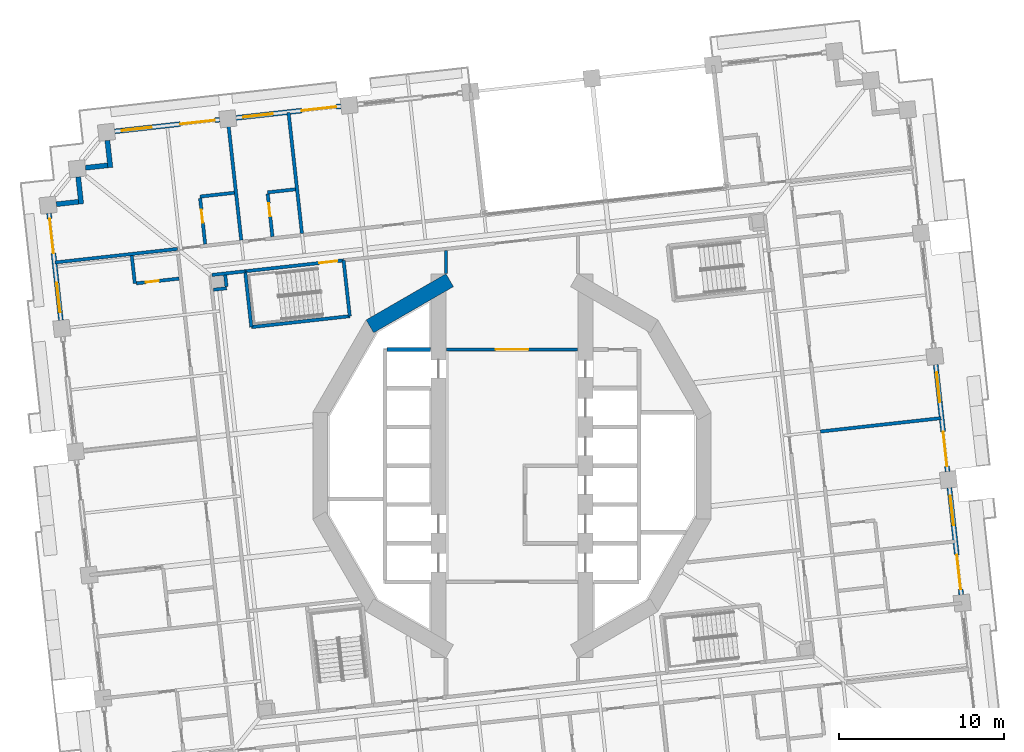
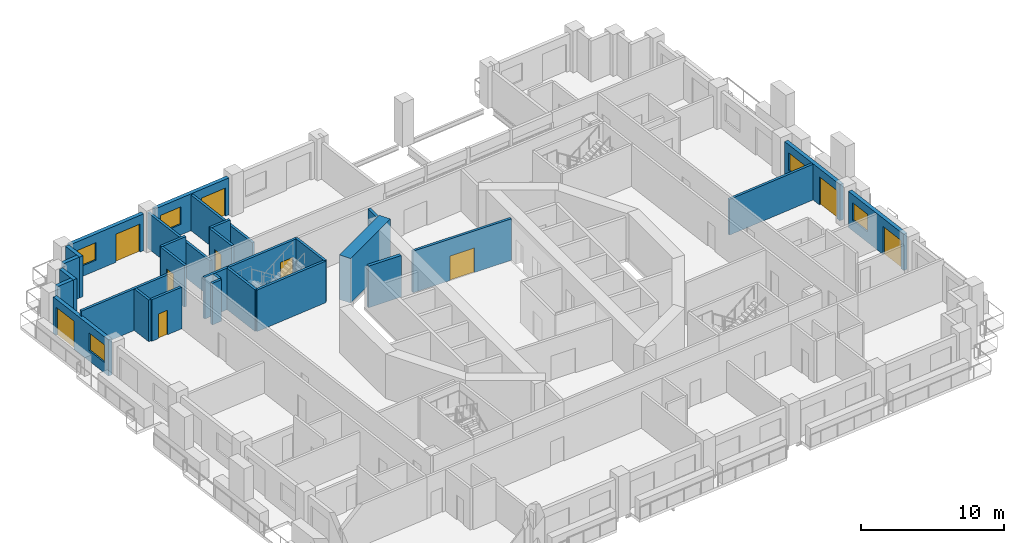
# One storey, part 11 of 20: 30 walls, 10 doors, 5 windows, 15 openings.
"""IFC4 building model written with IfcOpenShell, lengths in metres."""

from ifc_helpers import new_model, si_unit, direction, frame, frame_2d, origin, place, context, subcontext, project, spatial, rectangle, extrude, material, layer, layer_set, type_object, element, fill, save


model = new_model("IFC4")

# Units and contexts
model_context = context("Model", 3, precision=1e-05, world=origin(), true_north=direction((0.0, 1.0)))
body_context = subcontext(model_context, "Body", "Model", "MODEL_VIEW")
ifc_project = project(units=[si_unit("LENGTHUNIT", "METRE"), si_unit("AREAUNIT", "SQUARE_METRE"), si_unit("VOLUMEUNIT", "CUBIC_METRE"), si_unit("PLANEANGLEUNIT", "RADIAN"), si_unit("MASSUNIT", "GRAM", prefix="KILO")], contexts=[model_context])

# Site, building, storey
site_placement = place(None, origin())
site = spatial("IfcSite", under=ifc_project, at=site_placement, CompositionType="ELEMENT")
building_placement = place(site_placement, origin())
building = spatial("IfcBuilding", under=site, at=building_placement, Name="Cantera Rosa Tower", CompositionType="ELEMENT")
storey_placement = place(building_placement, frame((0.0, 0.0, 50.10009765625)))
storey = spatial("IfcBuildingStorey", under=building, at=storey_placement, Name="L09", CompositionType="ELEMENT", Elevation=50.10009765625)

# Walls
ifc_material_1 = material(Name="Gypsum board partition")
ifc_layer_1 = layer(ifc_material_1, 0.199951171875)
ifc_layer_set_1 = layer_set([ifc_layer_1], Name="CORRIDOR WALL 200 H3550")
wall_type_1 = type_object("IfcWallType", Name="CORRIDOR WALL 200 H3550", PredefinedType="PARTITIONING", material=ifc_layer_set_1)
wall_1_placement = place(storey_placement, frame((-16.172607421875, 11.787841796875, 0.0), z_axis=(0.0, 0.0, 1.0), x_axis=(-0.993905752705, -0.110233183482, 0.0)))
element("IfcWall", 1, at=wall_1_placement, inside=storey, type_object=wall_type_1, Name="CORRIDOR WALL L09-021", PredefinedType="PARTITIONING", context=body_context, shape_type="SweptSolid", body=[
    extrude(rectangle(XDim=2.026611328125, YDim=0.199951171875, at=frame_2d((1.01318359375, 0.0))), origin(), (0.0, 0.0, 1.0), 3.5498046875),
])
wall_2_placement = place(storey_placement, frame((-4.0, 13.038818359375, 0.0), z_axis=(0.0, 0.0, 1.0), x_axis=(0.0, -1.0, 0.0)))
element("IfcWall", 2, at=wall_2_placement, inside=storey, type_object=wall_type_1, Name="CORRIDOR WALL L09-053", PredefinedType="PARTITIONING", context=body_context, shape_type="SweptSolid", body=[
    extrude(rectangle(XDim=1.37158203125, YDim=0.199951171875, at=frame_2d((0.685791015625, 0.0))), origin(), (0.0, 0.0, 1.0), 3.5498046875),
])

# Wall, opening, door
wall_3_placement = place(storey_placement, frame((-3.969970703125, 7.050048828125, 0.0), z_axis=(0.0, 0.0, 1.0), x_axis=(1.0, 0.0, 0.0)))
wall_3 = element("IfcWall", 3, at=wall_3_placement, inside=storey, type_object=wall_type_1, Name="CORRIDOR WALL L09-054", PredefinedType="PARTITIONING", context=body_context, shape_type="SweptSolid", body=[
    extrude(rectangle(XDim=7.93994140625, YDim=0.199951171875, at=frame_2d((3.969970703125, 0.0))), origin(), (0.0, 0.0, 1.0), 3.5498046875),
])
opening_1_placement = place(wall_3_placement, frame((2.969970703125, 0.0, 0.0)))
opening_1 = element("IfcOpeningElement", 4, at=opening_1_placement, cuts=wall_3, Name="Opening L09-011", PredefinedType="OPENING", context=body_context, shape_type="SweptSolid", body=[
    extrude(rectangle(XDim=2.0, YDim=2.10009765625, at=frame_2d((1.0, 1.050048828125))), frame((0.0, 0.10986328125, 0.0), z_axis=(0.0, -1.0, 0.0), x_axis=(1.0, 0.0, 0.0)), (0.0, 0.0, 1.0), 0.219970703125),
])
ifc_material_2 = material(Name="Steel S355J2 (EN 10025-2)", Category="steel")
door_type_1 = type_object("IfcDoorType", Name="LOBBY SCREEN DOOR 2000x2100", OperationType="NOTDEFINED", PredefinedType="DOOR", material=ifc_material_2)
door_1_placement = place(opening_1_placement, origin())
door_1 = element("IfcDoor", 5, at=door_1_placement, inside=storey, type_object=door_type_1, Name="DOOR L09-011", OperationType="NOTDEFINED", OverallHeight=2.10009765625, OverallWidth=2.0, PredefinedType="DOOR", context=body_context, shape_type="SweptSolid", body=[
    extrude(rectangle(XDim=2.0, YDim=2.10009765625, at=frame_2d((1.0, 1.050048828125))), frame((0.0, 0.02490234375, 0.0), z_axis=(0.0, -1.0, 0.0), x_axis=(1.0, 0.0, 0.0)), (0.0, 0.0, 1.0), 0.050048828125),
])
fill(opening_1, door_1)

# Walls
ifc_material_3 = material(Name="Hollow clay masonry with cantera stone cladding", Category="masonry")
ifc_layer_2 = layer(ifc_material_3, 0.300048828125)
ifc_layer_set_2 = layer_set([ifc_layer_2], Name="EW-LOGGIA 300")
wall_type_2 = type_object("IfcWallType", Name="EW-LOGGIA 300", PredefinedType="SOLIDWALL", material=ifc_layer_set_2)
wall_4_placement = place(storey_placement, frame((-24.5244140625, 19.71484375, 0.0), z_axis=(0.0, 0.0, 1.0), x_axis=(0.110236638423, -0.993905369514, 0.0)))
element("IfcWall", 6, at=wall_4_placement, inside=storey, type_object=wall_type_2, Name="EN-L09-W14a", PredefinedType="SOLIDWALL", context=body_context, shape_type="SweptSolid", body=[
    extrude(rectangle(XDim=1.64990234375, YDim=0.300048828125, at=frame_2d((0.824951171875, 0.0))), origin(), (0.0, 0.0, 1.0), 3.5),
])
wall_5_placement = place(storey_placement, frame((-24.508056640625, 18.20751953125, 0.0), z_axis=(0.0, 0.0, 1.0), x_axis=(-0.993896959738, -0.110312435488, 0.0)))
element("IfcWall", 7, at=wall_5_placement, inside=storey, type_object=wall_type_2, Name="EN-L09-W14b", PredefinedType="SOLIDWALL", context=body_context, shape_type="SweptSolid", body=[
    extrude(rectangle(XDim=1.35009765625, YDim=0.300048828125, at=frame_2d((0.675048828125, 0.0))), origin(), (0.0, 0.0, 1.0), 3.5),
])
wall_6_placement = place(storey_placement, frame((-26.291748046875, 17.506591796875, 0.0), z_axis=(0.0, 0.0, 1.0), x_axis=(0.110382805355, -0.993889146878, 0.0)))
element("IfcWall", 8, at=wall_6_placement, inside=storey, type_object=wall_type_2, Name="EN-L09-W15a", PredefinedType="SOLIDWALL", context=body_context, shape_type="SweptSolid", body=[
    extrude(rectangle(XDim=1.64990234375, YDim=0.300048828125, at=frame_2d((0.824951171875, 0.0))), origin(), (0.0, 0.0, 1.0), 3.5),
])
wall_7_placement = place(storey_placement, frame((-26.275146484375, 15.999267578125, 0.0), z_axis=(0.0, 0.0, 1.0), x_axis=(-0.993896959738, -0.110312435488, 0.0)))
element("IfcWall", 9, at=wall_7_placement, inside=storey, type_object=wall_type_2, Name="EN-L09-W15b", PredefinedType="SOLIDWALL", context=body_context, shape_type="SweptSolid", body=[
    extrude(rectangle(XDim=1.35009765625, YDim=0.300048828125, at=frame_2d((0.675048828125, 0.0))), origin(), (0.0, 0.0, 1.0), 3.5),
])

# Wall, openings, window, door
ifc_material_4 = material(Name="Hollow clay masonry with cantera stone cladding", Category="masonry")
ifc_layer_3 = layer(ifc_material_4, 0.300048828125)
ifc_layer_set_3 = layer_set([ifc_layer_3], Name="EW-LOGGIA 300 H3090")
wall_type_3 = type_object("IfcWallType", Name="EW-LOGGIA 300 H3090", PredefinedType="SOLIDWALL", material=ifc_layer_set_3)
wall_8_placement = place(storey_placement, frame((27.229248046875, -7.823974609375, 0.0), z_axis=(0.0, 0.0, 1.0), x_axis=(-0.110312341265, 0.993896970196, 0.0)))
wall_8 = element("IfcWall", 10, at=wall_8_placement, inside=storey, type_object=wall_type_3, Name="EN-L09-W02", PredefinedType="SOLIDWALL", context=body_context, shape_type="SweptSolid", body=[
    extrude(rectangle(XDim=6.52001953125, YDim=0.300048828125, at=frame_2d((3.260009765625, 0.0))), origin(), (0.0, 0.0, 1.0), 3.08984375),
])
opening_2_placement = place(wall_8_placement, frame((0.330078125, 0.0, 0.0)))
opening_2 = element("IfcOpeningElement", 11, at=opening_2_placement, cuts=wall_8, Name="Opening L09-TD03", PredefinedType="OPENING", context=body_context, shape_type="SweptSolid", body=[
    extrude(rectangle(XDim=2.10009765625, YDim=2.39990234375, at=frame_2d((1.050048828125, 1.199951171875))), frame((0.0, 0.159912109375, 0.0), z_axis=(0.0, -1.0, 0.0), x_axis=(1.0, 0.0, 0.0)), (0.0, 0.0, 1.0), 0.320068359375),
])
opening_3_placement = place(wall_8_placement, frame((4.239990234375, 0.0, 0.89990234375)))
opening_3 = element("IfcOpeningElement", 12, at=opening_3_placement, cuts=wall_8, Name="Opening L09-W04", PredefinedType="OPENING", context=body_context, shape_type="SweptSolid", body=[
    extrude(rectangle(XDim=1.800048828125, YDim=1.5, at=frame_2d((0.89990234375, 0.75))), frame((0.0, 0.159912109375, 0.0), z_axis=(0.0, -1.0, 0.0), x_axis=(1.0, 0.0, 0.0)), (0.0, 0.0, 1.0), 0.320068359375),
])
ifc_material_5 = material(Name="Aluminium frame with clear glass", Category="aluminium")
window_type = type_object("IfcWindowType", Name="Hotel room window 1800x1500", PartitioningType="DOUBLE_PANEL_VERTICAL", PredefinedType="WINDOW", material=ifc_material_5)
window_1_placement = place(opening_3_placement, origin())
window_1 = element("IfcWindow", 13, at=window_1_placement, inside=storey, type_object=window_type, Name="WINDOW L09-W04", OverallHeight=1.5, OverallWidth=1.800048828125, PartitioningType="SINGLE_PANEL", PredefinedType="WINDOW", context=body_context, shape_type="SweptSolid", body=[
    extrude(rectangle(XDim=1.800048828125, YDim=1.5, at=frame_2d((0.89990234375, 0.75))), frame((0.0, 0.030029296875, 0.0), z_axis=(0.0, -1.0, 0.0), x_axis=(1.0, 0.0, 0.0)), (0.0, 0.0, 1.0), 0.06005859375),
])
fill(opening_3, window_1)
ifc_material_6 = material(Name="Aluminium frame with clear glass", Category="aluminium")
door_type_2 = type_object("IfcDoorType", Name="TD-H 2100x2400", OperationType="NOTDEFINED", PredefinedType="DOOR", material=ifc_material_6)
door_2_placement = place(opening_2_placement, origin())
door_2 = element("IfcDoor", 14, at=door_2_placement, inside=storey, type_object=door_type_2, Name="LOGGIA DOOR L09-TD03", OperationType="SLIDING_TO_LEFT", OverallHeight=2.39990234375, OverallWidth=2.10009765625, PredefinedType="DOOR", context=body_context, shape_type="SweptSolid", body=[
    extrude(rectangle(XDim=2.10009765625, YDim=2.39990234375, at=frame_2d((1.050048828125, 1.199951171875))), frame((0.0, 0.02490234375, 0.0), z_axis=(0.0, -1.0, 0.0), x_axis=(1.0, 0.0, 0.0)), (0.0, 0.0, 1.0), 0.050048828125),
])
fill(opening_2, door_2)

wall_9_placement = place(storey_placement, frame((26.399658203125, -0.349853515625, 0.0), z_axis=(0.0, 0.0, 1.0), x_axis=(-0.110312341265, 0.993896970196, 0.0)))
wall_9 = element("IfcWall", 15, at=wall_9_placement, inside=storey, type_object=wall_type_3, Name="EN-L09-W03", PredefinedType="SOLIDWALL", context=body_context, shape_type="SweptSolid", body=[
    extrude(rectangle(XDim=6.52001953125, YDim=0.300048828125, at=frame_2d((3.260009765625, 0.0))), origin(), (0.0, 0.0, 1.0), 3.08984375),
])
opening_4_placement = place(wall_9_placement, frame((0.330078125, 0.0, 0.0)))
opening_4 = element("IfcOpeningElement", 16, at=opening_4_placement, cuts=wall_9, Name="Opening L09-TD05", PredefinedType="OPENING", context=body_context, shape_type="SweptSolid", body=[
    extrude(rectangle(XDim=2.10009765625, YDim=2.39990234375, at=frame_2d((1.050048828125, 1.199951171875))), frame((0.0, 0.159912109375, 0.0), z_axis=(0.0, -1.0, 0.0), x_axis=(1.0, 0.0, 0.0)), (0.0, 0.0, 1.0), 0.320068359375),
])
opening_5_placement = place(wall_9_placement, frame((4.239990234375, 0.0, 0.89990234375)))
opening_5 = element("IfcOpeningElement", 17, at=opening_5_placement, cuts=wall_9, Name="Opening L09-W06", PredefinedType="OPENING", context=body_context, shape_type="SweptSolid", body=[
    extrude(rectangle(XDim=1.800048828125, YDim=1.5, at=frame_2d((0.89990234375, 0.75))), frame((0.0, 0.159912109375, 0.0), z_axis=(0.0, -1.0, 0.0), x_axis=(1.0, 0.0, 0.0)), (0.0, 0.0, 1.0), 0.320068359375),
])
window_2_placement = place(opening_5_placement, origin())
window_2 = element("IfcWindow", 18, at=window_2_placement, inside=storey, type_object=window_type, Name="WINDOW L09-W06", OverallHeight=1.5, OverallWidth=1.800048828125, PartitioningType="SINGLE_PANEL", PredefinedType="WINDOW", context=body_context, shape_type="SweptSolid", body=[
    extrude(rectangle(XDim=1.800048828125, YDim=1.5, at=frame_2d((0.89990234375, 0.75))), frame((0.0, 0.030029296875, 0.0), z_axis=(0.0, -1.0, 0.0), x_axis=(1.0, 0.0, 0.0)), (0.0, 0.0, 1.0), 0.06005859375),
])
fill(opening_5, window_2)
door_3_placement = place(opening_4_placement, origin())
door_3 = element("IfcDoor", 19, at=door_3_placement, inside=storey, type_object=door_type_2, Name="LOGGIA DOOR L09-TD05", OperationType="SLIDING_TO_LEFT", OverallHeight=2.39990234375, OverallWidth=2.10009765625, PredefinedType="DOOR", context=body_context, shape_type="SweptSolid", body=[
    extrude(rectangle(XDim=2.10009765625, YDim=2.39990234375, at=frame_2d((1.050048828125, 1.199951171875))), frame((0.0, 0.02490234375, 0.0), z_axis=(0.0, -1.0, 0.0), x_axis=(1.0, 0.0, 0.0)), (0.0, 0.0, 1.0), 0.050048828125),
])
fill(opening_4, door_3)

wall_10_placement = place(storey_placement, frame((-28.058837890625, 15.298095703125, 0.0), z_axis=(0.0, 0.0, 1.0), x_axis=(0.110312341265, -0.993896970196, 0.0)))
wall_10 = element("IfcWall", 20, at=wall_10_placement, inside=storey, type_object=wall_type_3, Name="EN-L09-W16", PredefinedType="SOLIDWALL", context=body_context, shape_type="SweptSolid", body=[
    extrude(rectangle(XDim=6.52001953125, YDim=0.300048828125, at=frame_2d((3.260009765625, 0.0))), origin(), (0.0, 0.0, 1.0), 3.08984375),
])
opening_6_placement = place(wall_10_placement, frame((0.330078125, 0.0, 0.0)))
opening_6 = element("IfcOpeningElement", 21, at=opening_6_placement, cuts=wall_10, Name="Opening L09-TD19", PredefinedType="OPENING", context=body_context, shape_type="SweptSolid", body=[
    extrude(rectangle(XDim=2.10009765625, YDim=2.39990234375, at=frame_2d((1.050048828125, 1.199951171875))), frame((0.0, 0.159912109375, 0.0), z_axis=(0.0, -1.0, 0.0), x_axis=(1.0, 0.0, 0.0)), (0.0, 0.0, 1.0), 0.320068359375),
])
opening_7_placement = place(wall_10_placement, frame((4.239990234375, 0.0, 0.89990234375)))
opening_7 = element("IfcOpeningElement", 22, at=opening_7_placement, cuts=wall_10, Name="Opening L09-W20", PredefinedType="OPENING", context=body_context, shape_type="SweptSolid", body=[
    extrude(rectangle(XDim=1.800048828125, YDim=1.5, at=frame_2d((0.89990234375, 0.75))), frame((0.0, 0.159912109375, 0.0), z_axis=(0.0, -1.0, 0.0), x_axis=(1.0, 0.0, 0.0)), (0.0, 0.0, 1.0), 0.320068359375),
])
window_3_placement = place(opening_7_placement, origin())
window_3 = element("IfcWindow", 23, at=window_3_placement, inside=storey, type_object=window_type, Name="WINDOW L09-W20", OverallHeight=1.5, OverallWidth=1.800048828125, PartitioningType="SINGLE_PANEL", PredefinedType="WINDOW", context=body_context, shape_type="SweptSolid", body=[
    extrude(rectangle(XDim=1.800048828125, YDim=1.5, at=frame_2d((0.89990234375, 0.75))), frame((0.0, 0.030029296875, 0.0), z_axis=(0.0, -1.0, 0.0), x_axis=(1.0, 0.0, 0.0)), (0.0, 0.0, 1.0), 0.06005859375),
])
fill(opening_7, window_3)
door_4_placement = place(opening_6_placement, origin())
door_4 = element("IfcDoor", 24, at=door_4_placement, inside=storey, type_object=door_type_2, Name="LOGGIA DOOR L09-TD19", OperationType="SLIDING_TO_LEFT", OverallHeight=2.39990234375, OverallWidth=2.10009765625, PredefinedType="DOOR", context=body_context, shape_type="SweptSolid", body=[
    extrude(rectangle(XDim=2.10009765625, YDim=2.39990234375, at=frame_2d((1.050048828125, 1.199951171875))), frame((0.0, 0.02490234375, 0.0), z_axis=(0.0, -1.0, 0.0), x_axis=(1.0, 0.0, 0.0)), (0.0, 0.0, 1.0), 0.050048828125),
])
fill(opening_6, door_4)

ifc_material_7 = material(Name="Hollow clay masonry with cantera stone cladding", Category="masonry")
ifc_layer_4 = layer(ifc_material_7, 0.300048828125)
ifc_layer_set_4 = layer_set([ifc_layer_4], Name="EW-LOGGIA 300 H3140")
wall_type_4 = type_object("IfcWallType", Name="EW-LOGGIA 300 H3140", PredefinedType="SOLIDWALL", material=ifc_layer_set_4)
wall_11_placement = place(storey_placement, frame((-10.366943359375, 21.789306640625, 0.0), z_axis=(0.0, 0.0, 1.0), x_axis=(-0.993900006422, -0.110284981906, 0.0)))
wall_11 = element("IfcWall", 25, at=wall_11_placement, inside=storey, type_object=wall_type_4, Name="EN-L09-W12", PredefinedType="SOLIDWALL", context=body_context, shape_type="SweptSolid", body=[
    extrude(rectangle(XDim=6.39990234375, YDim=0.300048828125, at=frame_2d((3.199951171875, 0.0))), origin(), (0.0, 0.0, 1.0), 3.139892578125),
])
opening_8_placement = place(wall_11_placement, frame((0.300048828125, 0.0, 0.0)))
opening_8 = element("IfcOpeningElement", 26, at=opening_8_placement, cuts=wall_11, Name="Opening L09-TD15", PredefinedType="OPENING", context=body_context, shape_type="SweptSolid", body=[
    extrude(rectangle(XDim=2.10009765625, YDim=2.39990234375, at=frame_2d((1.050048828125, 1.199951171875))), frame((0.0, 0.159912109375, 0.0), z_axis=(0.0, -1.0, 0.0), x_axis=(1.0, 0.0, 0.0)), (0.0, 0.0, 1.0), 0.320068359375),
])
opening_9_placement = place(wall_11_placement, frame((4.14990234375, 0.0, 0.89990234375)))
opening_9 = element("IfcOpeningElement", 27, at=opening_9_placement, cuts=wall_11, Name="Opening L09-W16", PredefinedType="OPENING", context=body_context, shape_type="SweptSolid", body=[
    extrude(rectangle(XDim=1.800048828125, YDim=1.5, at=frame_2d((0.89990234375, 0.75))), frame((0.0, 0.159912109375, 0.0), z_axis=(0.0, -1.0, 0.0), x_axis=(1.0, 0.0, 0.0)), (0.0, 0.0, 1.0), 0.320068359375),
])
window_4_placement = place(opening_9_placement, origin())
window_4 = element("IfcWindow", 28, at=window_4_placement, inside=storey, type_object=window_type, Name="WINDOW L09-W16", OverallHeight=1.5, OverallWidth=1.800048828125, PartitioningType="SINGLE_PANEL", PredefinedType="WINDOW", context=body_context, shape_type="SweptSolid", body=[
    extrude(rectangle(XDim=1.800048828125, YDim=1.5, at=frame_2d((0.89990234375, 0.75))), frame((0.0, 0.030029296875, 0.0), z_axis=(0.0, -1.0, 0.0), x_axis=(1.0, 0.0, 0.0)), (0.0, 0.0, 1.0), 0.06005859375),
])
fill(opening_9, window_4)
door_5_placement = place(opening_8_placement, origin())
door_5 = element("IfcDoor", 29, at=door_5_placement, inside=storey, type_object=door_type_2, Name="LOGGIA DOOR L09-TD15", OperationType="SLIDING_TO_LEFT", OverallHeight=2.39990234375, OverallWidth=2.10009765625, PredefinedType="DOOR", context=body_context, shape_type="SweptSolid", body=[
    extrude(rectangle(XDim=2.10009765625, YDim=2.39990234375, at=frame_2d((1.050048828125, 1.199951171875))), frame((0.0, 0.02490234375, 0.0), z_axis=(0.0, -1.0, 0.0), x_axis=(1.0, 0.0, 0.0)), (0.0, 0.0, 1.0), 0.050048828125),
])
fill(opening_8, door_5)

wall_12_placement = place(storey_placement, frame((-17.7216796875, 20.97314453125, 0.0), z_axis=(0.0, 0.0, 1.0), x_axis=(-0.993896288542, -0.110318482689, 0.0)))
wall_12 = element("IfcWall", 30, at=wall_12_placement, inside=storey, type_object=wall_type_4, Name="EN-L09-W13", PredefinedType="SOLIDWALL", context=body_context, shape_type="SweptSolid", body=[
    extrude(rectangle(XDim=6.400146484375, YDim=0.300048828125, at=frame_2d((3.2001953125, 0.0))), origin(), (0.0, 0.0, 1.0), 3.139892578125),
])
opening_10_placement = place(wall_12_placement, frame((0.300048828125, 0.0, 0.0)))
opening_10 = element("IfcOpeningElement", 31, at=opening_10_placement, cuts=wall_12, Name="Opening L09-TD17", PredefinedType="OPENING", context=body_context, shape_type="SweptSolid", body=[
    extrude(rectangle(XDim=2.10009765625, YDim=2.39990234375, at=frame_2d((1.050048828125, 1.199951171875))), frame((0.0, 0.159912109375, 0.0), z_axis=(0.0, -1.0, 0.0), x_axis=(1.0, 0.0, 0.0)), (0.0, 0.0, 1.0), 0.320068359375),
])
opening_11_placement = place(wall_12_placement, frame((4.14990234375, 0.0, 0.89990234375)))
opening_11 = element("IfcOpeningElement", 32, at=opening_11_placement, cuts=wall_12, Name="Opening L09-W18", PredefinedType="OPENING", context=body_context, shape_type="SweptSolid", body=[
    extrude(rectangle(XDim=1.800048828125, YDim=1.5, at=frame_2d((0.89990234375, 0.75))), frame((0.0, 0.159912109375, 0.0), z_axis=(0.0, -1.0, 0.0), x_axis=(1.0, 0.0, 0.0)), (0.0, 0.0, 1.0), 0.320068359375),
])
window_5_placement = place(opening_11_placement, origin())
window_5 = element("IfcWindow", 33, at=window_5_placement, inside=storey, type_object=window_type, Name="WINDOW L09-W18", OverallHeight=1.5, OverallWidth=1.800048828125, PartitioningType="SINGLE_PANEL", PredefinedType="WINDOW", context=body_context, shape_type="SweptSolid", body=[
    extrude(rectangle(XDim=1.800048828125, YDim=1.5, at=frame_2d((0.89990234375, 0.75))), frame((0.0, 0.030029296875, 0.0), z_axis=(0.0, -1.0, 0.0), x_axis=(1.0, 0.0, 0.0)), (0.0, 0.0, 1.0), 0.06005859375),
])
fill(opening_11, window_5)
door_6_placement = place(opening_10_placement, origin())
door_6 = element("IfcDoor", 34, at=door_6_placement, inside=storey, type_object=door_type_2, Name="LOGGIA DOOR L09-TD17", OperationType="SLIDING_TO_LEFT", OverallHeight=2.39990234375, OverallWidth=2.10009765625, PredefinedType="DOOR", context=body_context, shape_type="SweptSolid", body=[
    extrude(rectangle(XDim=2.10009765625, YDim=2.39990234375, at=frame_2d((1.050048828125, 1.199951171875))), frame((0.0, 0.02490234375, 0.0), z_axis=(0.0, -1.0, 0.0), x_axis=(1.0, 0.0, 0.0)), (0.0, 0.0, 1.0), 0.050048828125),
])
fill(opening_10, door_6)

# Wall
ifc_material_8 = material(Name="Gypsum board partition")
ifc_layer_5 = layer(ifc_material_8, 0.199951171875)
ifc_layer_set_5 = layer_set([ifc_layer_5], Name="PARTITION 200 H3550")
wall_type_5 = type_object("IfcWallType", Name="PARTITION 200 H3550", PredefinedType="PARTITIONING", material=ifc_layer_set_5)
wall_13_placement = place(storey_placement, frame((-22.85791015625, 11.0458984375, 0.0), z_axis=(0.0, 0.0, 1.0), x_axis=(-0.110289669906, 0.993899486222, 0.0)))
element("IfcWall", 35, at=wall_13_placement, inside=storey, type_object=wall_type_5, Name="PARTITION L09-004", PredefinedType="PARTITIONING", context=body_context, shape_type="SweptSolid", body=[
    extrude(rectangle(XDim=1.699951171875, YDim=0.199951171875, at=frame_2d((0.85009765625, 0.0))), origin(), (0.0, 0.0, 1.0), 3.5498046875),
])

# Wall, opening, door
wall_14_placement = place(storey_placement, frame((-20.174560546875, 11.34375, 0.0), z_axis=(0.0, 0.0, 1.0), x_axis=(-0.993894037028, -0.110338765449, 0.0)))
wall_14 = element("IfcWall", 36, at=wall_14_placement, inside=storey, type_object=wall_type_5, Name="PARTITION L09-011", PredefinedType="PARTITIONING", context=body_context, shape_type="SweptSolid", body=[
    extrude(rectangle(XDim=2.599853515625, YDim=0.199951171875, at=frame_2d((1.2998046875, 0.0))), origin(), (0.0, 0.0, 1.0), 3.5498046875),
])
opening_12_placement = place(wall_14_placement, frame((1.236083984375, 0.0, 0.0)))
opening_12 = element("IfcOpeningElement", 37, at=opening_12_placement, cuts=wall_14, Name="Opening L09-036", PredefinedType="OPENING", context=body_context, shape_type="SweptSolid", body=[
    extrude(rectangle(XDim=0.800048828125, YDim=2.10009765625, at=frame_2d((0.39990234375, 1.050048828125))), frame((0.0, 0.10986328125, 0.0), z_axis=(0.0, -1.0, 0.0), x_axis=(1.0, 0.0, 0.0)), (0.0, 0.0, 1.0), 0.219970703125),
])
ifc_material_9 = material(Name="Timber door leaf", Category="wood")
door_type_3 = type_object("IfcDoorType", Name="BATHROOM DOOR 800x2100", OperationType="NOTDEFINED", PredefinedType="DOOR", material=ifc_material_9)
door_7_placement = place(opening_12_placement, origin())
door_7 = element("IfcDoor", 38, at=door_7_placement, inside=storey, type_object=door_type_3, Name="DOOR L09-036", OperationType="NOTDEFINED", OverallHeight=2.10009765625, OverallWidth=0.800048828125, PredefinedType="DOOR", context=body_context, shape_type="SweptSolid", body=[
    extrude(rectangle(XDim=0.800048828125, YDim=2.10009765625, at=frame_2d((0.39990234375, 1.050048828125))), frame((0.0, 0.02490234375, 0.0), z_axis=(0.0, -1.0, 0.0), x_axis=(1.0, 0.0, 0.0)), (0.0, 0.0, 1.0), 0.050048828125),
])
fill(opening_12, door_7)

# Wall
wall_15_placement = place(storey_placement, frame((-18.9150390625, 16.31298828125, 0.0), z_axis=(0.0, 0.0, 1.0), x_axis=(0.993895071737, 0.11032944474, 0.0)))
element("IfcWall", 39, at=wall_15_placement, inside=storey, type_object=wall_type_5, Name="PARTITION L09-013", PredefinedType="PARTITIONING", context=body_context, shape_type="SweptSolid", body=[
    extrude(rectangle(XDim=2.10009765625, YDim=0.199951171875, at=frame_2d((1.050048828125, 0.0))), origin(), (0.0, 0.0, 1.0), 3.5498046875),
])

# Wall, opening, door
wall_16_placement = place(storey_placement, frame((-18.59521484375, 13.4306640625, 0.0), z_axis=(0.0, 0.0, 1.0), x_axis=(-0.11021141528, 0.993908166755, 0.0)))
wall_16 = element("IfcWall", 40, at=wall_16_placement, inside=storey, type_object=wall_type_5, Name="PARTITION L09-014", PredefinedType="PARTITIONING", context=body_context, shape_type="SweptSolid", body=[
    extrude(rectangle(XDim=2.800048828125, YDim=0.199951171875, at=frame_2d((1.39990234375, 0.0))), origin(), (0.0, 0.0, 1.0), 3.5498046875),
])
opening_13_placement = place(wall_16_placement, frame((1.300048828125, 0.0, 0.0)))
opening_13 = element("IfcOpeningElement", 41, at=opening_13_placement, cuts=wall_16, Name="Opening L09-031", PredefinedType="OPENING", context=body_context, shape_type="SweptSolid", body=[
    extrude(rectangle(XDim=0.800048828125, YDim=2.10009765625, at=frame_2d((0.39990234375, 1.050048828125))), frame((0.0, 0.10986328125, 0.0), z_axis=(0.0, -1.0, 0.0), x_axis=(1.0, 0.0, 0.0)), (0.0, 0.0, 1.0), 0.219970703125),
])
door_8_placement = place(opening_13_placement, origin())
door_8 = element("IfcDoor", 42, at=door_8_placement, inside=storey, type_object=door_type_3, Name="DOOR L09-031", OperationType="NOTDEFINED", OverallHeight=2.10009765625, OverallWidth=0.800048828125, PredefinedType="DOOR", context=body_context, shape_type="SweptSolid", body=[
    extrude(rectangle(XDim=0.800048828125, YDim=2.10009765625, at=frame_2d((0.39990234375, 1.050048828125))), frame((0.0, 0.02490234375, 0.0), z_axis=(0.0, -1.0, 0.0), x_axis=(1.0, 0.0, 0.0)), (0.0, 0.0, 1.0), 0.050048828125),
])
fill(opening_13, door_8)

# Walls
wall_17_placement = place(storey_placement, frame((-18.08740234375, 10.669921875, 0.0), z_axis=(0.0, 0.0, 1.0), x_axis=(0.993913470482, 0.110163574714, 0.0)))
element("IfcWall", 43, at=wall_17_placement, inside=storey, type_object=wall_type_5, Name="PARTITION L09-016", PredefinedType="PARTITIONING", context=body_context, shape_type="SweptSolid", body=[
    extrude(rectangle(XDim=0.800048828125, YDim=0.199951171875, at=frame_2d((0.39990234375, 0.0))), origin(), (0.0, 0.0, 1.0), 3.5498046875),
])
wall_18_placement = place(storey_placement, frame((-17.30322265625, 10.857421875, 0.0), z_axis=(0.0, 0.0, 1.0), x_axis=(-0.110546349969, 0.993870969748, 0.0)))
element("IfcWall", 44, at=wall_18_placement, inside=storey, type_object=wall_type_5, Name="PARTITION L09-018", PredefinedType="PARTITIONING", context=body_context, shape_type="SweptSolid", body=[
    extrude(rectangle(XDim=0.7001953125, YDim=0.199951171875, at=frame_2d((0.35009765625, 0.0))), origin(), (0.0, 0.0, 1.0), 3.5498046875),
])
wall_19_placement = place(storey_placement, frame((-14.81787109375, 16.56640625, 0.0), z_axis=(0.0, 0.0, 1.0), x_axis=(0.993897739047, 0.110305413813, 0.0)))
element("IfcWall", 45, at=wall_19_placement, inside=storey, type_object=wall_type_5, Name="PARTITION L09-026", PredefinedType="PARTITIONING", context=body_context, shape_type="SweptSolid", body=[
    extrude(rectangle(XDim=1.69970703125, YDim=0.199951171875, at=frame_2d((0.849853515625, 0.0))), origin(), (0.0, 0.0, 1.0), 3.5498046875),
])

# Wall, opening, door
wall_20_placement = place(storey_placement, frame((-14.52001953125, 13.883056640625, 0.0), z_axis=(0.0, 0.0, 1.0), x_axis=(-0.110338765449, 0.993894037028, 0.0)))
wall_20 = element("IfcWall", 46, at=wall_20_placement, inside=storey, type_object=wall_type_5, Name="PARTITION L09-028", PredefinedType="PARTITIONING", context=body_context, shape_type="SweptSolid", body=[
    extrude(rectangle(XDim=2.599853515625, YDim=0.199951171875, at=frame_2d((1.2998046875, 0.0))), origin(), (0.0, 0.0, 1.0), 3.5498046875),
])
opening_14_placement = place(wall_20_placement, frame((1.236083984375, 0.0, 0.0)))
opening_14 = element("IfcOpeningElement", 47, at=opening_14_placement, cuts=wall_20, Name="Opening L09-027", PredefinedType="OPENING", context=body_context, shape_type="SweptSolid", body=[
    extrude(rectangle(XDim=0.800048828125, YDim=2.10009765625, at=frame_2d((0.39990234375, 1.050048828125))), frame((0.0, 0.10986328125, 0.0), z_axis=(0.0, -1.0, 0.0), x_axis=(1.0, 0.0, 0.0)), (0.0, 0.0, 1.0), 0.219970703125),
])
door_9_placement = place(opening_14_placement, origin())
door_9 = element("IfcDoor", 48, at=door_9_placement, inside=storey, type_object=door_type_3, Name="DOOR L09-027", OperationType="NOTDEFINED", OverallHeight=2.10009765625, OverallWidth=0.800048828125, PredefinedType="DOOR", context=body_context, shape_type="SweptSolid", body=[
    extrude(rectangle(XDim=0.800048828125, YDim=2.10009765625, at=frame_2d((0.39990234375, 1.050048828125))), frame((0.0, 0.02490234375, 0.0), z_axis=(0.0, -1.0, 0.0), x_axis=(1.0, 0.0, 0.0)), (0.0, 0.0, 1.0), 0.050048828125),
])
fill(opening_14, door_9)

# Walls
ifc_material_10 = material(Name="Gypsum board partition")
ifc_layer_6 = layer(ifc_material_10, 0.199951171875)
ifc_layer_set_6 = layer_set([ifc_layer_6], Name="PARTY WALL 200 H3050")
wall_type_6 = type_object("IfcWallType", Name="PARTY WALL 200 H3050", PredefinedType="PARTITIONING", material=ifc_layer_set_6)
for number, where, z_axis, x_axis, name in (
    (49, (-16.408447265625, 13.67333984375, 0.0), (0.0, 0.0, 1.0), (-0.11031154238, 0.993897058864, 0.0), "PARTY WALL L09-020"),
    (50, (-12.731201171875, 14.08154296875, 0.0), (0.0, 0.0, 1.0), (-0.11031154238, 0.993897058864, 0.0), "PARTY WALL L09-030"),
    (51, (18.685302734375, 2.073974609375, 0.0), (0.0, 0.0, 1.0), (0.993897058864, 0.11031154238, 0.0), "PARTY WALL L09-108"),
):
    element("IfcWall", number, at=place(storey_placement, frame(where, z_axis=z_axis, x_axis=x_axis)), inside=storey, type_object=wall_type_6, Name=name, PredefinedType="PARTITIONING", context=body_context, shape_type="SweptSolid", body=[
        extrude(rectangle(XDim=7.369873046875, YDim=0.199951171875, at=frame_2d((3.68505859375, 0.0))), origin(), (0.0, 0.0, 1.0), 3.0498046875),
    ])
ifc_material_11 = material(Name="Gypsum board partition")
ifc_layer_7 = layer(ifc_material_11, 0.199951171875)
ifc_layer_set_7 = layer_set([ifc_layer_7], Name="PARTY WALL 200 H3550")
wall_type_7 = type_object("IfcWallType", Name="PARTY WALL 200 H3550", PredefinedType="PARTITIONING", material=ifc_layer_set_7)
wall_21_placement = place(storey_placement, frame((-20.273681640625, 13.143798828125, 0.0), z_axis=(0.0, 0.0, 1.0), x_axis=(-0.993894093242, -0.110338259085, 0.0)))
element("IfcWall", 52, at=wall_21_placement, inside=storey, type_object=wall_type_7, Name="PARTY WALL L09-008", PredefinedType="PARTITIONING", context=body_context, shape_type="SweptSolid", body=[
    extrude(rectangle(XDim=7.469970703125, YDim=0.199951171875, at=frame_2d((3.73486328125, 0.0))), origin(), (0.0, 0.0, 1.0), 3.5498046875),
])
ifc_material_12 = material(Name="Concrete C70/85", Category="concrete")
ifc_layer_8 = layer(ifc_material_12, 0.89990234375)
ifc_layer_set_8 = layer_set([ifc_layer_8], Name="RC CORE WALL 900 C70/85")
wall_type_8 = type_object("IfcWallType", Name="RC CORE WALL 900 C70/85", PredefinedType="SHEAR", material=ifc_layer_set_8)
wall_22_placement = place(storey_placement, frame((-8.61376953125, 8.44921875, 0.0), z_axis=(0.0, 0.0, 1.0), x_axis=(0.866026961591, 0.49999730179, 0.0)))
element("IfcWall", 53, at=wall_22_placement, inside=storey, type_object=wall_type_8, Name="CW-W5 L09", PredefinedType="SHEAR", context=body_context, shape_type="SweptSolid", body=[
    extrude(rectangle(XDim=5.58740234375, YDim=0.89990234375, at=frame_2d((2.793701171875, 0.0))), origin(), (0.0, 0.0, 1.0), 3.7998046875),
])
ifc_material_13 = material(Name="Masonry blockwork", Category="masonry")
ifc_layer_9 = layer(ifc_material_13, 0.25)
ifc_layer_set_9 = layer_set([ifc_layer_9], Name="SHAFT WALL 250 H3550")
wall_type_9 = type_object("IfcWallType", Name="SHAFT WALL 250 H3550", PredefinedType="SOLIDWALL", material=ifc_layer_set_9)
wall_23_placement = place(storey_placement, frame((-4.929931640625, 7.050048828125, 0.0), z_axis=(0.0, 0.0, 1.0), x_axis=(-1.0, 0.0, 0.0)))
element("IfcWall", 54, at=wall_23_placement, inside=storey, type_object=wall_type_9, Name="SHAFT WALL L09-050", PredefinedType="SOLIDWALL", context=body_context, shape_type="SweptSolid", body=[
    extrude(rectangle(XDim=2.650146484375, YDim=0.25, at=frame_2d((1.3251953125, 0.0))), origin(), (0.0, 0.0, 1.0), 3.5498046875),
])
ifc_material_14 = material(Name="Concrete C50/60", Category="concrete")
ifc_layer_10 = layer(ifc_material_14, 0.199951171875)
ifc_layer_set_10 = layer_set([ifc_layer_10], Name="STAIR WALL 200 H3550")
wall_type_10 = type_object("IfcWallType", Name="STAIR WALL 200 H3550", PredefinedType="SOLIDWALL", material=ifc_layer_set_10)
wall_24_placement = place(storey_placement, frame((-16.172607421875, 11.787841796875, 0.0), z_axis=(0.0, 0.0, 1.0), x_axis=(0.110368557057, -0.993890729212, 0.0)))
element("IfcWall", 55, at=wall_24_placement, inside=storey, type_object=wall_type_10, Name="STAIR WALL L09-022", PredefinedType="SOLIDWALL", context=body_context, shape_type="SweptSolid", body=[
    extrude(rectangle(XDim=3.404296875, YDim=0.199951171875, at=frame_2d((1.7021484375, 0.0))), origin(), (0.0, 0.0, 1.0), 3.5498046875),
])
wall_25_placement = place(storey_placement, frame((-15.796875, 8.404296875, 0.0), z_axis=(0.0, 0.0, 1.0), x_axis=(0.993897125329, 0.110310943534, 0.0)))
element("IfcWall", 56, at=wall_25_placement, inside=storey, type_object=wall_type_10, Name="STAIR WALL L09-023", PredefinedType="SOLIDWALL", context=body_context, shape_type="SweptSolid", body=[
    extrude(rectangle(XDim=6.0, YDim=0.199951171875, at=frame_2d((3.0, 0.0))), origin(), (0.0, 0.0, 1.0), 3.5498046875),
])

# Wall, opening, door
wall_26_placement = place(storey_placement, frame((-10.208984375, 12.44970703125, 0.0), z_axis=(0.0, 0.0, 1.0), x_axis=(-0.993897620437, -0.11030648254, 0.0)))
wall_26 = element("IfcWall", 57, at=wall_26_placement, inside=storey, type_object=wall_type_10, Name="STAIR WALL L09-038", PredefinedType="SOLIDWALL", context=body_context, shape_type="SweptSolid", body=[
    extrude(rectangle(XDim=6.000244140625, YDim=0.199951171875, at=frame_2d((3.0, 0.0))), origin(), (0.0, 0.0, 1.0), 3.5498046875),
])
opening_15_placement = place(wall_26_placement, frame((0.375, 0.0, 0.0)))
opening_15 = element("IfcOpeningElement", 58, at=opening_15_placement, cuts=wall_26, Name="Opening L09-002", PredefinedType="OPENING", context=body_context, shape_type="SweptSolid", body=[
    extrude(rectangle(XDim=1.10009765625, YDim=2.10009765625, at=frame_2d((0.550048828125, 1.050048828125))), frame((0.0, 0.10986328125, 0.0), z_axis=(0.0, -1.0, 0.0), x_axis=(1.0, 0.0, 0.0)), (0.0, 0.0, 1.0), 0.219970703125),
])
ifc_material_15 = material(Name="Steel S355J2 (EN 10025-2)", Category="steel")
door_type_4 = type_object("IfcDoorType", Name="STAIR DOOR 1100x2100", OperationType="NOTDEFINED", PredefinedType="DOOR", material=ifc_material_15)
door_10_placement = place(opening_15_placement, origin())
door_10 = element("IfcDoor", 59, at=door_10_placement, inside=storey, type_object=door_type_4, Name="DOOR L09-002", OperationType="NOTDEFINED", OverallHeight=2.10009765625, OverallWidth=1.10009765625, PredefinedType="DOOR", context=body_context, shape_type="SweptSolid", body=[
    extrude(rectangle(XDim=1.10009765625, YDim=2.10009765625, at=frame_2d((0.550048828125, 1.050048828125))), frame((0.0, 0.02490234375, 0.0), z_axis=(0.0, -1.0, 0.0), x_axis=(1.0, 0.0, 0.0)), (0.0, 0.0, 1.0), 0.050048828125),
])
fill(opening_15, door_10)

# Wall
wall_27_placement = place(storey_placement, frame((-9.83349609375, 9.066162109375, 0.0), z_axis=(0.0, 0.0, 1.0), x_axis=(-0.110297715324, 0.993898593416, 0.0)))
element("IfcWall", 60, at=wall_27_placement, inside=storey, type_object=wall_type_10, Name="STAIR WALL L09-039", PredefinedType="SOLIDWALL", context=body_context, shape_type="SweptSolid", body=[
    extrude(rectangle(XDim=3.404296875, YDim=0.199951171875, at=frame_2d((1.7021484375, 0.0))), origin(), (0.0, 0.0, 1.0), 3.5498046875),
])

save(model, "model.ifc")
